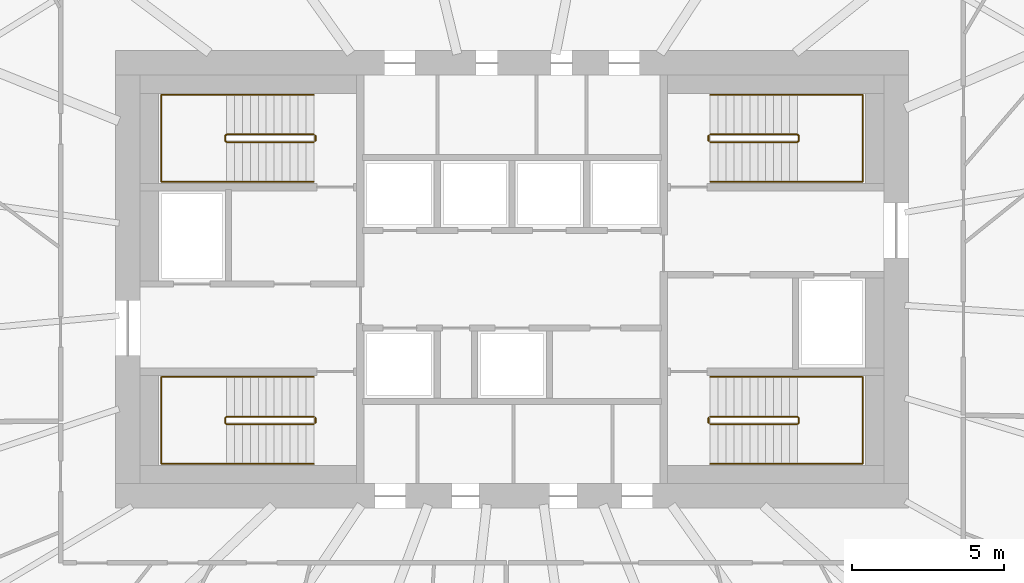
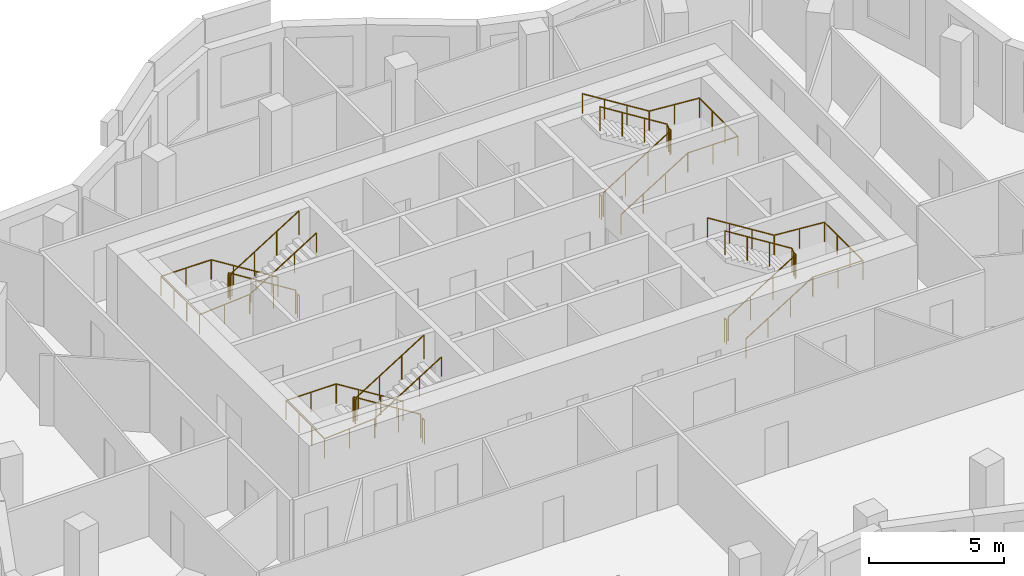
# One storey, part 10 of 10: 12 railings.
"""IFC4 building model written with IfcOpenShell, lengths in metres."""

import ifcopenshell
import ifcopenshell.guid

model = None  # the IFC model being written
_history = None  # IfcOwnerHistory: only IFC2X3 demands one
_inside = {}  # id of a spatial element -> (the spatial element, [elements in it])
_under = {}  # id of a project, library or spatial element -> (it, [spatial elements below it])
_declared = {}  # id of a project -> (the project, [libraries it declares])
_typed = {}  # id of a type object -> (the type object, [elements of that type])
_made_of = {}  # id of a material, layer set ... -> (it, [elements and type objects made of it])


def new_model(schema):
    """Start an empty IFC model of exactly this schema.

    Asked for "IFC4X3", IfcOpenShell would pick the latest addendum, in which some entities
    have other attributes; the version numbers below select the first issue.
    IFC2X3 requires an IfcOwnerHistory on every rooted entity: one is made here for all.
    """
    global model, _history
    if schema == "IFC4X3":
        model = ifcopenshell.file(schema_version=(4, 3, 0, 0))
    else:
        model = ifcopenshell.file(schema=schema)
    _inside.clear()
    _under.clear()
    _declared.clear()
    _typed.clear()
    _made_of.clear()
    _history = None
    if model.schema == "IFC2X3":
        org = make("IfcOrganization", Name="unknown")
        user = make(
            "IfcPersonAndOrganization",
            ThePerson=make("IfcPerson", FamilyName="unknown"),
            TheOrganization=org,
        )
        app = make(
            "IfcApplication",
            ApplicationDeveloper=org,
            Version="unknown",
            ApplicationFullName="unknown",
            ApplicationIdentifier="unknown",
        )
        _history = make(
            "IfcOwnerHistory",
            OwningUser=user,
            OwningApplication=app,
            ChangeAction="ADDED",
            CreationDate=0,
        )
    return model


def make(cls, **values):
    """One entity of the class cls with the attributes given. An attribute that is None is left unset."""
    return model.create_entity(
        cls, **{name: value for name, value in values.items() if value is not None}
    )


def rooted(cls, **values):
    """An entity with a GlobalId (a new one), such as an element, a storey or a relation."""
    return make(cls, GlobalId=ifcopenshell.guid.new(), OwnerHistory=_history, **values)


def si_unit(unit_type, name, prefix=None):
    """IfcSIUnit, for example si_unit("LENGTHUNIT", "METRE", prefix="MILLI")."""
    return make("IfcSIUnit", UnitType=unit_type, Prefix=prefix, Name=name)


def assignment(units):
    """IfcUnitAssignment: the units of a project."""
    return None if units is None else make("IfcUnitAssignment", Units=units)


def point(xyz):
    """IfcCartesianPoint."""
    return None if xyz is None else make("IfcCartesianPoint", Coordinates=xyz)


def direction(xyz):
    """IfcDirection."""
    return None if xyz is None else make("IfcDirection", DirectionRatios=xyz)


def frame(location, z_axis=None, x_axis=None):
    """IfcAxis2Placement3D, a coordinate frame: its origin and axes. An axis left out is left unset."""
    return make(
        "IfcAxis2Placement3D",
        Location=point(location),
        Axis=direction(z_axis),
        RefDirection=direction(x_axis),
    )


def frame_2d(location, x_axis=None):
    """IfcAxis2Placement2D, a coordinate frame in the plane: its origin and x axis."""
    return make(
        "IfcAxis2Placement2D", Location=point(location), RefDirection=direction(x_axis)
    )


def origin():
    """The frame at (0, 0, 0) with its axes left unset."""
    return frame((0.0, 0.0, 0.0))


def origin_2d():
    """The frame at (0, 0) in the plane with its x axis left unset."""
    return frame_2d((0.0, 0.0))


def place(relative_to, where):
    """IfcLocalPlacement: puts the frame where relative to a parent placement (None: the world)."""
    return make(
        "IfcLocalPlacement", PlacementRelTo=relative_to, RelativePlacement=where
    )


def context(
    kind, dimensions, precision=None, world=None, true_north=None, identifier=None
):
    """IfcGeometricRepresentationContext, for example the 3D "Model" context."""
    return make(
        "IfcGeometricRepresentationContext",
        ContextIdentifier=identifier,
        ContextType=kind,
        CoordinateSpaceDimension=dimensions,
        Precision=precision,
        WorldCoordinateSystem=world,
        TrueNorth=true_north,
    )


def subcontext(parent, identifier, kind, view, scale=None):
    """IfcGeometricRepresentationSubContext, for example "Body" below "Model"."""
    return make(
        "IfcGeometricRepresentationSubContext",
        ContextIdentifier=identifier,
        ContextType=kind,
        ParentContext=parent,
        TargetScale=scale,
        TargetView=view,
    )


def project(units=None, contexts=None):
    """IfcProject with its units and contexts."""
    return rooted(
        "IfcProject",
        Name="project",
        RepresentationContexts=contexts,
        UnitsInContext=assignment(units),
    )


def spatial(cls, under=None, at=None, **own):
    """A site, building, storey or space (cls), placed at a placement, below another one or the project."""
    s = rooted(cls, ObjectPlacement=at, **own)
    if under is not None:
        _under.setdefault(under.id(), (under, []))[1].append(s)
    return s


def profile(cls, at=None, kind="AREA", **sizes):
    """A parametric profile (cls). Its sizes go by their IFC names, for example OverallWidth=200.0."""
    return make(cls, ProfileType=kind, Position=at, **sizes)


def circle(**sizes):
    """IfcCircleProfileDef."""
    return profile("IfcCircleProfileDef", **sizes)


def extrude(swept, where, along, depth):
    """IfcExtrudedAreaSolid: the profile swept, set in the frame where, extruded along a direction by depth."""
    return make(
        "IfcExtrudedAreaSolid",
        SweptArea=swept,
        Position=where,
        ExtrudedDirection=direction(along),
        Depth=depth,
    )


def shape(context_of_items, identifier, shape_type, items):
    """IfcShapeRepresentation: the items that make up one representation, for example the "Body"."""
    return make(
        "IfcShapeRepresentation",
        ContextOfItems=context_of_items,
        RepresentationIdentifier=identifier,
        RepresentationType=shape_type,
        Items=items,
    )


def material(Name=None, Category=None):
    """IfcMaterial."""
    return make("IfcMaterial", Name=Name, Category=Category)


def made_of(thing, what):
    """Note that an element or type object is made of a material, layer set ...; save() writes the relation."""
    if what is not None:
        _made_of.setdefault(what.id(), (what, []))[1].append(thing)
    return thing


def type_object(cls, material=None, **own):
    """A type object (cls), such as IfcWallType, which elements share."""
    return made_of(rooted(cls, **own), material)


def element(
    cls,
    number,
    at=None,
    inside=None,
    cuts=None,
    type_object=None,
    material=None,
    context=None,
    identifier="Body",
    shape_type=None,
    held_by="IfcProductDefinitionShape",
    body=None,
    shapes=None,
    **own,
):
    """One element of the class cls, such as IfcWall. Its Tag is "e" and its number.

    at: its placement. inside: the storey or other place that contains it. cuts: it is an
    opening in that element (IfcRelVoidsElement). A single representation is given by context,
    identifier, shape_type and body (its items); several are given by shapes. held_by: the class
    of the entity that holds the representations. save() writes the other relations.
    """
    e = rooted(cls, Tag="e%d" % number, ObjectPlacement=at, **own)
    if body is not None:
        shapes = [shape(context, identifier, shape_type, body)]
    if shapes is not None:
        e.Representation = make(held_by, Representations=shapes)
    if inside is not None:
        _inside.setdefault(inside.id(), (inside, []))[1].append(e)
    if cuts is not None:
        rooted(
            "IfcRelVoidsElement", RelatingBuildingElement=cuts, RelatedOpeningElement=e
        )
    if type_object is not None:
        _typed.setdefault(type_object.id(), (type_object, []))[1].append(e)
    return made_of(e, material)


def aggregate(whole, parts):
    """IfcRelAggregates: a whole, such as a stair, and the parts it consists of."""
    return rooted("IfcRelAggregates", RelatingObject=whole, RelatedObjects=parts)


def save(model, path):
    """Write the relations noted so far, then the file.

    IfcRelAggregates (storeys below a building ...), IfcRelContainedInSpatialStructure (elements
    in a storey), IfcRelDefinesByType, IfcRelAssociatesMaterial and IfcRelDeclares: one each for
    every whole, place, type object, material and project.
    """
    for whole, parts in _under.values():
        aggregate(whole, parts)
    for where, things in _inside.values():
        rooted(
            "IfcRelContainedInSpatialStructure",
            RelatedElements=things,
            RelatingStructure=where,
        )
    for kind, things in _typed.values():
        rooted("IfcRelDefinesByType", RelatedObjects=things, RelatingType=kind)
    for what, things in _made_of.values():
        rooted("IfcRelAssociatesMaterial", RelatedObjects=things, RelatingMaterial=what)
    for by, libraries in _declared.values():
        rooted("IfcRelDeclares", RelatingContext=by, RelatedDefinitions=libraries)
    model.write(path)


model = new_model("IFC4")

# Units and contexts
model_context = context("Model", 3, precision=1e-05, world=origin(), true_north=direction((0.0, 1.0)))
body_context = subcontext(model_context, "Body", "Model", "MODEL_VIEW")
ifc_project = project(units=[si_unit("LENGTHUNIT", "METRE"), si_unit("AREAUNIT", "SQUARE_METRE"), si_unit("VOLUMEUNIT", "CUBIC_METRE"), si_unit("PLANEANGLEUNIT", "RADIAN"), si_unit("MASSUNIT", "GRAM", prefix="KILO")], contexts=[model_context])

# Site, building, storey
site_placement = place(None, origin())
site = spatial("IfcSite", under=ifc_project, at=site_placement, CompositionType="ELEMENT")
building_placement = place(site_placement, origin())
building = spatial("IfcBuilding", under=site, at=building_placement, Name="Rubra Terraces Tower", CompositionType="ELEMENT")
storey_placement = place(building_placement, frame((0.0, 0.0, 296.10009765625)))
storey = spatial("IfcBuildingStorey", under=building, at=storey_placement, Name="L73", CompositionType="ELEMENT", Elevation=296.10009765625)

# Railings
ifc_material = material(Name="Stainless steel", Category="steel")
railing_type_1 = type_object("IfcRailingType", Name="Core stair guard 1100", PredefinedType="GUARDRAIL", material=ifc_material)
railing_1_placement = place(storey_placement, frame((-6.5, 0.0, 0.162353515625)))
element("IfcRailing", 1, at=railing_1_placement, inside=storey, type_object=railing_type_1, Name="L73 stair S1 guard 1", PredefinedType="GUARDRAIL", context=body_context, shape_type="SweptSolid", body=[
    extrude(circle(Radius=0.02392578125, at=origin_2d()), frame((0.0, 0.0, 1.076171875), z_axis=(-0.847994237388, 0.0, 0.530005446535), x_axis=(0.0, -1.0, 0.0)), (0.0, 0.0, 1.0), 3.372802734375),
    extrude(circle(Radius=0.02392578125, at=origin_2d()), frame((-2.860107421875, 0.0, 2.86376953125), z_axis=(-0.705375805398, -0.708833529934, 0.0), x_axis=(0.708833529934, -0.705375805398, 0.0)), (0.0, 0.0, 1.0), 0.070556640625),
    extrude(circle(Radius=0.02392578125, at=origin_2d()), frame((-2.909912109375, -0.050048828125, 2.86376953125), z_axis=(0.0, -1.0, 0.0), x_axis=(1.0, 0.0, 0.0)), (0.0, 0.0, 1.0), 0.14990234375),
    extrude(circle(Radius=0.02392578125, at=origin_2d()), frame((-2.909912109375, -0.199951171875, 2.86376953125), z_axis=(0.281314826061, -0.282693820306, 0.917031173188), x_axis=(0.708833529934, 0.705375805398, 0.0)), (0.0, 0.0, 1.0), 0.177001953125),
    extrude(circle(Radius=0.02392578125, at=origin_2d()), frame((-2.860107421875, -0.25, 3.02587890625), z_axis=(0.847994237388, 0.0, 0.530005446535), x_axis=(0.0, 1.0, 0.0)), (0.0, 0.0, 1.0), 3.372802734375),
    extrude(circle(Radius=0.02099609375, at=origin_2d()), origin(), (0.0, 0.0, 1.0), 1.052001953125),
    extrude(circle(Radius=0.02099609375, at=origin_2d()), frame((-0.953369140625, 0.0, 0.595947265625)), (0.0, 0.0, 1.0), 1.052001953125),
    extrude(circle(Radius=0.02099609375, at=origin_2d()), frame((-1.90673828125, 0.0, 1.191650390625)), (0.0, 0.0, 1.0), 1.052001953125),
    extrude(circle(Radius=0.02099609375, at=origin_2d()), frame((-2.860107421875, 0.0, 1.78759765625)), (0.0, 0.0, 1.0), 1.052001953125),
    extrude(circle(Radius=0.02099609375, at=origin_2d()), frame((-2.909912109375, -0.050048828125, 1.78759765625)), (0.0, 0.0, 1.0), 1.052001953125),
    extrude(circle(Radius=0.02099609375, at=origin_2d()), frame((-2.909912109375, -0.199951171875, 1.78759765625)), (0.0, 0.0, 1.0), 1.052001953125),
    extrude(circle(Radius=0.02099609375, at=origin_2d()), frame((-2.860107421875, -0.25, 1.949951171875)), (0.0, 0.0, 1.0), 1.052001953125),
    extrude(circle(Radius=0.02099609375, at=origin_2d()), frame((-1.90673828125, -0.25, 2.5458984375)), (0.0, 0.0, 1.0), 1.052001953125),
    extrude(circle(Radius=0.02099609375, at=origin_2d()), frame((-0.953369140625, -0.25, 3.1416015625)), (0.0, 0.0, 1.0), 1.052001953125),
    extrude(circle(Radius=0.02099609375, at=origin_2d()), frame((0.0, -0.25, 3.737548828125)), (0.0, 0.0, 1.0), 1.052001953125),
])
railing_2_placement = place(storey_placement, frame((-6.449951171875, -0.050048828125, 0.0)))
element("IfcRailing", 2, at=railing_2_placement, inside=storey, type_object=railing_type_1, Name="L73 stair S1 guard 2", PredefinedType="GUARDRAIL", context=body_context, shape_type="SweptSolid", body=[
    extrude(circle(Radius=0.02392578125, at=origin_2d()), frame((0.0, 0.0, 1.076171875), z_axis=(0.0, -1.0, 0.0), x_axis=(1.0, 0.0, 0.0)), (0.0, 0.0, 1.0), 0.14990234375),
    extrude(circle(Radius=0.02099609375, at=origin_2d()), origin(), (0.0, 0.0, 1.0), 1.052001953125),
    extrude(circle(Radius=0.02099609375, at=origin_2d()), frame((0.0, -0.14990234375, 0.0)), (0.0, 0.0, 1.0), 1.052001953125),
])
railing_3_placement = place(storey_placement, frame((-6.5, 9.25, 0.162353515625)))
element("IfcRailing", 3, at=railing_3_placement, inside=storey, type_object=railing_type_1, Name="L73 stair S2 guard 1", PredefinedType="GUARDRAIL", context=body_context, shape_type="SweptSolid", body=[
    extrude(circle(Radius=0.02392578125, at=origin_2d()), frame((0.0, 0.0, 1.076171875), z_axis=(-0.847994237388, 0.0, 0.530005446535), x_axis=(0.0, -1.0, 0.0)), (0.0, 0.0, 1.0), 3.372802734375),
    extrude(circle(Radius=0.02392578125, at=origin_2d()), frame((-2.860107421875, 0.0, 2.86376953125), z_axis=(-0.705375805398, -0.708833529934, 0.0), x_axis=(0.708833529934, -0.705375805398, 0.0)), (0.0, 0.0, 1.0), 0.070556640625),
    extrude(circle(Radius=0.02392578125, at=origin_2d()), frame((-2.909912109375, -0.050048828125, 2.86376953125), z_axis=(0.0, -1.0, 0.0), x_axis=(1.0, 0.0, 0.0)), (0.0, 0.0, 1.0), 0.14990234375),
    extrude(circle(Radius=0.02392578125, at=origin_2d()), frame((-2.909912109375, -0.199951171875, 2.86376953125), z_axis=(0.281314826061, -0.282693820306, 0.917031173188), x_axis=(0.708833529934, 0.705375805398, 0.0)), (0.0, 0.0, 1.0), 0.177001953125),
    extrude(circle(Radius=0.02392578125, at=origin_2d()), frame((-2.860107421875, -0.25, 3.02587890625), z_axis=(0.847994237388, 0.0, 0.530005446535), x_axis=(0.0, 1.0, 0.0)), (0.0, 0.0, 1.0), 3.372802734375),
    extrude(circle(Radius=0.02099609375, at=origin_2d()), origin(), (0.0, 0.0, 1.0), 1.052001953125),
    extrude(circle(Radius=0.02099609375, at=origin_2d()), frame((-0.953369140625, 0.0, 0.595947265625)), (0.0, 0.0, 1.0), 1.052001953125),
    extrude(circle(Radius=0.02099609375, at=origin_2d()), frame((-1.90673828125, 0.0, 1.191650390625)), (0.0, 0.0, 1.0), 1.052001953125),
    extrude(circle(Radius=0.02099609375, at=origin_2d()), frame((-2.860107421875, 0.0, 1.78759765625)), (0.0, 0.0, 1.0), 1.052001953125),
    extrude(circle(Radius=0.02099609375, at=origin_2d()), frame((-2.909912109375, -0.050048828125, 1.78759765625)), (0.0, 0.0, 1.0), 1.052001953125),
    extrude(circle(Radius=0.02099609375, at=origin_2d()), frame((-2.909912109375, -0.199951171875, 1.78759765625)), (0.0, 0.0, 1.0), 1.052001953125),
    extrude(circle(Radius=0.02099609375, at=origin_2d()), frame((-2.860107421875, -0.25, 1.949951171875)), (0.0, 0.0, 1.0), 1.052001953125),
    extrude(circle(Radius=0.02099609375, at=origin_2d()), frame((-1.90673828125, -0.25, 2.5458984375)), (0.0, 0.0, 1.0), 1.052001953125),
    extrude(circle(Radius=0.02099609375, at=origin_2d()), frame((-0.953369140625, -0.25, 3.1416015625)), (0.0, 0.0, 1.0), 1.052001953125),
    extrude(circle(Radius=0.02099609375, at=origin_2d()), frame((0.0, -0.25, 3.737548828125)), (0.0, 0.0, 1.0), 1.052001953125),
])
railing_4_placement = place(storey_placement, frame((-6.449951171875, 9.199951171875, 0.0)))
element("IfcRailing", 4, at=railing_4_placement, inside=storey, type_object=railing_type_1, Name="L73 stair S2 guard 2", PredefinedType="GUARDRAIL", context=body_context, shape_type="SweptSolid", body=[
    extrude(circle(Radius=0.02392578125, at=origin_2d()), frame((0.0, 0.0, 1.076171875), z_axis=(0.0, -1.0, 0.0), x_axis=(1.0, 0.0, 0.0)), (0.0, 0.0, 1.0), 0.14990234375),
    extrude(circle(Radius=0.02099609375, at=origin_2d()), origin(), (0.0, 0.0, 1.0), 1.052001953125),
    extrude(circle(Radius=0.02099609375, at=origin_2d()), frame((0.0, -0.14990234375, 0.0)), (0.0, 0.0, 1.0), 1.052001953125),
])
railing_5_placement = place(storey_placement, frame((6.5, 9.0, 0.162353515625)))
element("IfcRailing", 5, at=railing_5_placement, inside=storey, type_object=railing_type_1, Name="L73 stair S3 guard 1", PredefinedType="GUARDRAIL", context=body_context, shape_type="SweptSolid", body=[
    extrude(circle(Radius=0.02392578125, at=origin_2d()), frame((0.0, 0.0, 1.076171875), z_axis=(0.847994237388, 0.0, 0.530005446535), x_axis=(0.0, 1.0, 0.0)), (0.0, 0.0, 1.0), 3.372802734375),
    extrude(circle(Radius=0.02392578125, at=origin_2d()), frame((2.860107421875, 0.0, 2.86376953125), z_axis=(0.705375805398, 0.708833529934, 0.0), x_axis=(-0.708833529934, 0.705375805398, 0.0)), (0.0, 0.0, 1.0), 0.070556640625),
    extrude(circle(Radius=0.02392578125, at=origin_2d()), frame((2.909912109375, 0.050048828125, 2.86376953125), z_axis=(0.0, 1.0, 0.0), x_axis=(-1.0, 0.0, 0.0)), (0.0, 0.0, 1.0), 0.14990234375),
    extrude(circle(Radius=0.02392578125, at=origin_2d()), frame((2.909912109375, 0.199951171875, 2.86376953125), z_axis=(-0.281314826061, 0.282693820306, 0.917031173188), x_axis=(-0.708833529934, -0.705375805398, 0.0)), (0.0, 0.0, 1.0), 0.177001953125),
    extrude(circle(Radius=0.02392578125, at=origin_2d()), frame((2.860107421875, 0.25, 3.02587890625), z_axis=(-0.847994237388, 0.0, 0.530005446535), x_axis=(0.0, -1.0, 0.0)), (0.0, 0.0, 1.0), 3.372802734375),
    extrude(circle(Radius=0.02099609375, at=origin_2d()), origin(), (0.0, 0.0, 1.0), 1.052001953125),
    extrude(circle(Radius=0.02099609375, at=origin_2d()), frame((0.953369140625, 0.0, 0.595947265625)), (0.0, 0.0, 1.0), 1.052001953125),
    extrude(circle(Radius=0.02099609375, at=origin_2d()), frame((1.90673828125, 0.0, 1.191650390625)), (0.0, 0.0, 1.0), 1.052001953125),
    extrude(circle(Radius=0.02099609375, at=origin_2d()), frame((2.860107421875, 0.0, 1.78759765625)), (0.0, 0.0, 1.0), 1.052001953125),
    extrude(circle(Radius=0.02099609375, at=origin_2d()), frame((2.909912109375, 0.050048828125, 1.78759765625)), (0.0, 0.0, 1.0), 1.052001953125),
    extrude(circle(Radius=0.02099609375, at=origin_2d()), frame((2.909912109375, 0.199951171875, 1.78759765625)), (0.0, 0.0, 1.0), 1.052001953125),
    extrude(circle(Radius=0.02099609375, at=origin_2d()), frame((2.860107421875, 0.25, 1.949951171875)), (0.0, 0.0, 1.0), 1.052001953125),
    extrude(circle(Radius=0.02099609375, at=origin_2d()), frame((1.90673828125, 0.25, 2.5458984375)), (0.0, 0.0, 1.0), 1.052001953125),
    extrude(circle(Radius=0.02099609375, at=origin_2d()), frame((0.953369140625, 0.25, 3.1416015625)), (0.0, 0.0, 1.0), 1.052001953125),
    extrude(circle(Radius=0.02099609375, at=origin_2d()), frame((0.0, 0.25, 3.737548828125)), (0.0, 0.0, 1.0), 1.052001953125),
])
railing_6_placement = place(storey_placement, frame((6.449951171875, 9.050048828125, 0.0)))
element("IfcRailing", 6, at=railing_6_placement, inside=storey, type_object=railing_type_1, Name="L73 stair S3 guard 2", PredefinedType="GUARDRAIL", context=body_context, shape_type="SweptSolid", body=[
    extrude(circle(Radius=0.02392578125, at=origin_2d()), frame((0.0, 0.0, 1.076171875), z_axis=(0.0, 1.0, 0.0), x_axis=(-1.0, 0.0, 0.0)), (0.0, 0.0, 1.0), 0.14990234375),
    extrude(circle(Radius=0.02099609375, at=origin_2d()), origin(), (0.0, 0.0, 1.0), 1.052001953125),
    extrude(circle(Radius=0.02099609375, at=origin_2d()), frame((0.0, 0.14990234375, 0.0)), (0.0, 0.0, 1.0), 1.052001953125),
])
railing_7_placement = place(storey_placement, frame((6.5, -0.25, 0.162353515625)))
element("IfcRailing", 7, at=railing_7_placement, inside=storey, type_object=railing_type_1, Name="L73 stair S4 guard 1", PredefinedType="GUARDRAIL", context=body_context, shape_type="SweptSolid", body=[
    extrude(circle(Radius=0.02392578125, at=origin_2d()), frame((0.0, 0.0, 1.076171875), z_axis=(0.847994237388, 0.0, 0.530005446535), x_axis=(0.0, 1.0, 0.0)), (0.0, 0.0, 1.0), 3.372802734375),
    extrude(circle(Radius=0.02392578125, at=origin_2d()), frame((2.860107421875, 0.0, 2.86376953125), z_axis=(0.705375805398, 0.708833529934, 0.0), x_axis=(-0.708833529934, 0.705375805398, 0.0)), (0.0, 0.0, 1.0), 0.070556640625),
    extrude(circle(Radius=0.02392578125, at=origin_2d()), frame((2.909912109375, 0.050048828125, 2.86376953125), z_axis=(0.0, 1.0, 0.0), x_axis=(-1.0, 0.0, 0.0)), (0.0, 0.0, 1.0), 0.14990234375),
    extrude(circle(Radius=0.02392578125, at=origin_2d()), frame((2.909912109375, 0.199951171875, 2.86376953125), z_axis=(-0.281314826061, 0.282693820306, 0.917031173188), x_axis=(-0.708833529934, -0.705375805398, 0.0)), (0.0, 0.0, 1.0), 0.177001953125),
    extrude(circle(Radius=0.02392578125, at=origin_2d()), frame((2.860107421875, 0.25, 3.02587890625), z_axis=(-0.847994237388, 0.0, 0.530005446535), x_axis=(0.0, -1.0, 0.0)), (0.0, 0.0, 1.0), 3.372802734375),
    extrude(circle(Radius=0.02099609375, at=origin_2d()), origin(), (0.0, 0.0, 1.0), 1.052001953125),
    extrude(circle(Radius=0.02099609375, at=origin_2d()), frame((0.953369140625, 0.0, 0.595947265625)), (0.0, 0.0, 1.0), 1.052001953125),
    extrude(circle(Radius=0.02099609375, at=origin_2d()), frame((1.90673828125, 0.0, 1.191650390625)), (0.0, 0.0, 1.0), 1.052001953125),
    extrude(circle(Radius=0.02099609375, at=origin_2d()), frame((2.860107421875, 0.0, 1.78759765625)), (0.0, 0.0, 1.0), 1.052001953125),
    extrude(circle(Radius=0.02099609375, at=origin_2d()), frame((2.909912109375, 0.050048828125, 1.78759765625)), (0.0, 0.0, 1.0), 1.052001953125),
    extrude(circle(Radius=0.02099609375, at=origin_2d()), frame((2.909912109375, 0.199951171875, 1.78759765625)), (0.0, 0.0, 1.0), 1.052001953125),
    extrude(circle(Radius=0.02099609375, at=origin_2d()), frame((2.860107421875, 0.25, 1.949951171875)), (0.0, 0.0, 1.0), 1.052001953125),
    extrude(circle(Radius=0.02099609375, at=origin_2d()), frame((1.90673828125, 0.25, 2.5458984375)), (0.0, 0.0, 1.0), 1.052001953125),
    extrude(circle(Radius=0.02099609375, at=origin_2d()), frame((0.953369140625, 0.25, 3.1416015625)), (0.0, 0.0, 1.0), 1.052001953125),
    extrude(circle(Radius=0.02099609375, at=origin_2d()), frame((0.0, 0.25, 3.737548828125)), (0.0, 0.0, 1.0), 1.052001953125),
])
railing_8_placement = place(storey_placement, frame((6.449951171875, -0.199951171875, 0.0)))
element("IfcRailing", 8, at=railing_8_placement, inside=storey, type_object=railing_type_1, Name="L73 stair S4 guard 2", PredefinedType="GUARDRAIL", context=body_context, shape_type="SweptSolid", body=[
    extrude(circle(Radius=0.02392578125, at=origin_2d()), frame((0.0, 0.0, 1.076171875), z_axis=(0.0, 1.0, 0.0), x_axis=(-1.0, 0.0, 0.0)), (0.0, 0.0, 1.0), 0.14990234375),
    extrude(circle(Radius=0.02099609375, at=origin_2d()), origin(), (0.0, 0.0, 1.0), 1.052001953125),
    extrude(circle(Radius=0.02099609375, at=origin_2d()), frame((0.0, 0.14990234375, 0.0)), (0.0, 0.0, 1.0), 1.052001953125),
])
railing_type_2 = type_object("IfcRailingType", Name="Core stair handrail 900", PredefinedType="HANDRAIL", material=ifc_material)
railing_9_placement = place(storey_placement, frame((-6.5, 1.300048828125, 0.162353515625)))
element("IfcRailing", 9, at=railing_9_placement, inside=storey, type_object=railing_type_2, Name="L73 stair S1 handrail 1", PredefinedType="HANDRAIL", context=body_context, shape_type="SweptSolid", body=[
    extrude(circle(Radius=0.02392578125, at=origin_2d()), frame((0.0, 0.0, 0.8759765625), z_axis=(-0.847994237388, 0.0, 0.530005446535), x_axis=(0.0, -1.0, 0.0)), (0.0, 0.0, 1.0), 3.372802734375),
    extrude(circle(Radius=0.02392578125, at=origin_2d()), frame((-2.860107421875, 0.0, 2.66357421875), z_axis=(-1.0, 0.0, 0.0), x_axis=(0.0, -1.0, 0.0)), (0.0, 0.0, 1.0), 2.139892578125),
    extrude(circle(Radius=0.02392578125, at=origin_2d()), frame((-5.0, 0.0, 2.66357421875), z_axis=(0.0, -1.0, 0.0), x_axis=(1.0, 0.0, 0.0)), (0.0, 0.0, 1.0), 2.85009765625),
    extrude(circle(Radius=0.02392578125, at=origin_2d()), frame((-5.0, -2.85009765625, 2.66357421875), z_axis=(0.9971342424, 0.0, 0.075652512401), x_axis=(0.0, 1.0, 0.0)), (0.0, 0.0, 1.0), 2.14599609375),
    extrude(circle(Radius=0.02392578125, at=origin_2d()), frame((-2.860107421875, -2.85009765625, 2.82568359375), z_axis=(0.847994237388, 0.0, 0.530005446535), x_axis=(0.0, 1.0, 0.0)), (0.0, 0.0, 1.0), 3.372802734375),
    extrude(circle(Radius=0.02099609375, at=origin_2d()), origin(), (0.0, 0.0, 1.0), 0.851806640625),
    extrude(circle(Radius=0.02099609375, at=origin_2d()), frame((-0.953369140625, 0.0, 0.595947265625)), (0.0, 0.0, 1.0), 0.851806640625),
    extrude(circle(Radius=0.02099609375, at=origin_2d()), frame((-1.90673828125, 0.0, 1.191650390625)), (0.0, 0.0, 1.0), 0.851806640625),
    extrude(circle(Radius=0.02099609375, at=origin_2d()), frame((-2.860107421875, 0.0, 1.78759765625)), (0.0, 0.0, 1.0), 0.851806640625),
    extrude(circle(Radius=0.02099609375, at=origin_2d()), frame((-3.93017578125, 0.0, 1.78759765625)), (0.0, 0.0, 1.0), 0.851806640625),
    extrude(circle(Radius=0.02099609375, at=origin_2d()), frame((-5.0, 0.0, 1.78759765625)), (0.0, 0.0, 1.0), 0.851806640625),
    extrude(circle(Radius=0.02099609375, at=origin_2d()), frame((-5.0, -0.949951171875, 1.78759765625)), (0.0, 0.0, 1.0), 0.851806640625),
    extrude(circle(Radius=0.02099609375, at=origin_2d()), frame((-5.0, -1.900146484375, 1.78759765625)), (0.0, 0.0, 1.0), 0.851806640625),
    extrude(circle(Radius=0.02099609375, at=origin_2d()), frame((-5.0, -2.85009765625, 1.78759765625)), (0.0, 0.0, 1.0), 0.851806640625),
    extrude(circle(Radius=0.02099609375, at=origin_2d()), frame((-3.93017578125, -2.85009765625, 1.86865234375)), (0.0, 0.0, 1.0), 0.851806640625),
    extrude(circle(Radius=0.02099609375, at=origin_2d()), frame((-2.860107421875, -2.85009765625, 1.949951171875)), (0.0, 0.0, 1.0), 0.851806640625),
    extrude(circle(Radius=0.02099609375, at=origin_2d()), frame((-1.90673828125, -2.85009765625, 2.5458984375)), (0.0, 0.0, 1.0), 0.851806640625),
    extrude(circle(Radius=0.02099609375, at=origin_2d()), frame((-0.953369140625, -2.85009765625, 3.1416015625)), (0.0, 0.0, 1.0), 0.851806640625),
    extrude(circle(Radius=0.02099609375, at=origin_2d()), frame((0.0, -2.85009765625, 3.737548828125)), (0.0, 0.0, 1.0), 0.851806640625),
])
railing_10_placement = place(storey_placement, frame((-6.5, 10.550048828125, 0.162353515625)))
element("IfcRailing", 10, at=railing_10_placement, inside=storey, type_object=railing_type_2, Name="L73 stair S2 handrail 1", PredefinedType="HANDRAIL", context=body_context, shape_type="SweptSolid", body=[
    extrude(circle(Radius=0.02392578125, at=origin_2d()), frame((0.0, 0.0, 0.8759765625), z_axis=(-0.847994237388, 0.0, 0.530005446535), x_axis=(0.0, -1.0, 0.0)), (0.0, 0.0, 1.0), 3.372802734375),
    extrude(circle(Radius=0.02392578125, at=origin_2d()), frame((-2.860107421875, 0.0, 2.66357421875), z_axis=(-1.0, 0.0, 0.0), x_axis=(0.0, -1.0, 0.0)), (0.0, 0.0, 1.0), 2.139892578125),
    extrude(circle(Radius=0.02392578125, at=origin_2d()), frame((-5.0, 0.0, 2.66357421875), z_axis=(0.0, -1.0, 0.0), x_axis=(1.0, 0.0, 0.0)), (0.0, 0.0, 1.0), 2.85009765625),
    extrude(circle(Radius=0.02392578125, at=origin_2d()), frame((-5.0, -2.85009765625, 2.66357421875), z_axis=(0.9971342424, 0.0, 0.075652512401), x_axis=(0.0, 1.0, 0.0)), (0.0, 0.0, 1.0), 2.14599609375),
    extrude(circle(Radius=0.02392578125, at=origin_2d()), frame((-2.860107421875, -2.85009765625, 2.82568359375), z_axis=(0.847994237388, 0.0, 0.530005446535), x_axis=(0.0, 1.0, 0.0)), (0.0, 0.0, 1.0), 3.372802734375),
    extrude(circle(Radius=0.02099609375, at=origin_2d()), origin(), (0.0, 0.0, 1.0), 0.851806640625),
    extrude(circle(Radius=0.02099609375, at=origin_2d()), frame((-0.953369140625, 0.0, 0.595947265625)), (0.0, 0.0, 1.0), 0.851806640625),
    extrude(circle(Radius=0.02099609375, at=origin_2d()), frame((-1.90673828125, 0.0, 1.191650390625)), (0.0, 0.0, 1.0), 0.851806640625),
    extrude(circle(Radius=0.02099609375, at=origin_2d()), frame((-2.860107421875, 0.0, 1.78759765625)), (0.0, 0.0, 1.0), 0.851806640625),
    extrude(circle(Radius=0.02099609375, at=origin_2d()), frame((-3.93017578125, 0.0, 1.78759765625)), (0.0, 0.0, 1.0), 0.851806640625),
    extrude(circle(Radius=0.02099609375, at=origin_2d()), frame((-5.0, 0.0, 1.78759765625)), (0.0, 0.0, 1.0), 0.851806640625),
    extrude(circle(Radius=0.02099609375, at=origin_2d()), frame((-5.0, -0.949951171875, 1.78759765625)), (0.0, 0.0, 1.0), 0.851806640625),
    extrude(circle(Radius=0.02099609375, at=origin_2d()), frame((-5.0, -1.900146484375, 1.78759765625)), (0.0, 0.0, 1.0), 0.851806640625),
    extrude(circle(Radius=0.02099609375, at=origin_2d()), frame((-5.0, -2.85009765625, 1.78759765625)), (0.0, 0.0, 1.0), 0.851806640625),
    extrude(circle(Radius=0.02099609375, at=origin_2d()), frame((-3.93017578125, -2.85009765625, 1.86865234375)), (0.0, 0.0, 1.0), 0.851806640625),
    extrude(circle(Radius=0.02099609375, at=origin_2d()), frame((-2.860107421875, -2.85009765625, 1.949951171875)), (0.0, 0.0, 1.0), 0.851806640625),
    extrude(circle(Radius=0.02099609375, at=origin_2d()), frame((-1.90673828125, -2.85009765625, 2.5458984375)), (0.0, 0.0, 1.0), 0.851806640625),
    extrude(circle(Radius=0.02099609375, at=origin_2d()), frame((-0.953369140625, -2.85009765625, 3.1416015625)), (0.0, 0.0, 1.0), 0.851806640625),
    extrude(circle(Radius=0.02099609375, at=origin_2d()), frame((0.0, -2.85009765625, 3.737548828125)), (0.0, 0.0, 1.0), 0.851806640625),
])
railing_11_placement = place(storey_placement, frame((6.5, 7.699951171875, 0.162353515625)))
element("IfcRailing", 11, at=railing_11_placement, inside=storey, type_object=railing_type_2, Name="L73 stair S3 handrail 1", PredefinedType="HANDRAIL", context=body_context, shape_type="SweptSolid", body=[
    extrude(circle(Radius=0.02392578125, at=origin_2d()), frame((0.0, 0.0, 0.8759765625), z_axis=(0.847994237388, 0.0, 0.530005446535), x_axis=(0.0, 1.0, 0.0)), (0.0, 0.0, 1.0), 3.372802734375),
    extrude(circle(Radius=0.02392578125, at=origin_2d()), frame((2.860107421875, 0.0, 2.66357421875), z_axis=(1.0, 0.0, 0.0), x_axis=(0.0, 1.0, 0.0)), (0.0, 0.0, 1.0), 2.139892578125),
    extrude(circle(Radius=0.02392578125, at=origin_2d()), frame((5.0, 0.0, 2.66357421875), z_axis=(0.0, 1.0, 0.0), x_axis=(-1.0, 0.0, 0.0)), (0.0, 0.0, 1.0), 2.85009765625),
    extrude(circle(Radius=0.02392578125, at=origin_2d()), frame((5.0, 2.85009765625, 2.66357421875), z_axis=(-0.9971342424, 0.0, 0.075652512401), x_axis=(0.0, -1.0, 0.0)), (0.0, 0.0, 1.0), 2.14599609375),
    extrude(circle(Radius=0.02392578125, at=origin_2d()), frame((2.860107421875, 2.85009765625, 2.82568359375), z_axis=(-0.847994237388, 0.0, 0.530005446535), x_axis=(0.0, -1.0, 0.0)), (0.0, 0.0, 1.0), 3.372802734375),
    extrude(circle(Radius=0.02099609375, at=origin_2d()), origin(), (0.0, 0.0, 1.0), 0.851806640625),
    extrude(circle(Radius=0.02099609375, at=origin_2d()), frame((0.953369140625, 0.0, 0.595947265625)), (0.0, 0.0, 1.0), 0.851806640625),
    extrude(circle(Radius=0.02099609375, at=origin_2d()), frame((1.90673828125, 0.0, 1.191650390625)), (0.0, 0.0, 1.0), 0.851806640625),
    extrude(circle(Radius=0.02099609375, at=origin_2d()), frame((2.860107421875, 0.0, 1.78759765625)), (0.0, 0.0, 1.0), 0.851806640625),
    extrude(circle(Radius=0.02099609375, at=origin_2d()), frame((3.93017578125, 0.0, 1.78759765625)), (0.0, 0.0, 1.0), 0.851806640625),
    extrude(circle(Radius=0.02099609375, at=origin_2d()), frame((5.0, 0.0, 1.78759765625)), (0.0, 0.0, 1.0), 0.851806640625),
    extrude(circle(Radius=0.02099609375, at=origin_2d()), frame((5.0, 0.949951171875, 1.78759765625)), (0.0, 0.0, 1.0), 0.851806640625),
    extrude(circle(Radius=0.02099609375, at=origin_2d()), frame((5.0, 1.900146484375, 1.78759765625)), (0.0, 0.0, 1.0), 0.851806640625),
    extrude(circle(Radius=0.02099609375, at=origin_2d()), frame((5.0, 2.85009765625, 1.78759765625)), (0.0, 0.0, 1.0), 0.851806640625),
    extrude(circle(Radius=0.02099609375, at=origin_2d()), frame((3.93017578125, 2.85009765625, 1.86865234375)), (0.0, 0.0, 1.0), 0.851806640625),
    extrude(circle(Radius=0.02099609375, at=origin_2d()), frame((2.860107421875, 2.85009765625, 1.949951171875)), (0.0, 0.0, 1.0), 0.851806640625),
    extrude(circle(Radius=0.02099609375, at=origin_2d()), frame((1.90673828125, 2.85009765625, 2.5458984375)), (0.0, 0.0, 1.0), 0.851806640625),
    extrude(circle(Radius=0.02099609375, at=origin_2d()), frame((0.953369140625, 2.85009765625, 3.1416015625)), (0.0, 0.0, 1.0), 0.851806640625),
    extrude(circle(Radius=0.02099609375, at=origin_2d()), frame((0.0, 2.85009765625, 3.737548828125)), (0.0, 0.0, 1.0), 0.851806640625),
])
railing_12_placement = place(storey_placement, frame((6.5, -1.550048828125, 0.162353515625)))
element("IfcRailing", 12, at=railing_12_placement, inside=storey, type_object=railing_type_2, Name="L73 stair S4 handrail 1", PredefinedType="HANDRAIL", context=body_context, shape_type="SweptSolid", body=[
    extrude(circle(Radius=0.02392578125, at=origin_2d()), frame((0.0, 0.0, 0.8759765625), z_axis=(0.847994237388, 0.0, 0.530005446535), x_axis=(0.0, 1.0, 0.0)), (0.0, 0.0, 1.0), 3.372802734375),
    extrude(circle(Radius=0.02392578125, at=origin_2d()), frame((2.860107421875, 0.0, 2.66357421875), z_axis=(1.0, 0.0, 0.0), x_axis=(0.0, 1.0, 0.0)), (0.0, 0.0, 1.0), 2.139892578125),
    extrude(circle(Radius=0.02392578125, at=origin_2d()), frame((5.0, 0.0, 2.66357421875), z_axis=(0.0, 1.0, 0.0), x_axis=(-1.0, 0.0, 0.0)), (0.0, 0.0, 1.0), 2.85009765625),
    extrude(circle(Radius=0.02392578125, at=origin_2d()), frame((5.0, 2.85009765625, 2.66357421875), z_axis=(-0.9971342424, 0.0, 0.075652512401), x_axis=(0.0, -1.0, 0.0)), (0.0, 0.0, 1.0), 2.14599609375),
    extrude(circle(Radius=0.02392578125, at=origin_2d()), frame((2.860107421875, 2.85009765625, 2.82568359375), z_axis=(-0.847994237388, 0.0, 0.530005446535), x_axis=(0.0, -1.0, 0.0)), (0.0, 0.0, 1.0), 3.372802734375),
    extrude(circle(Radius=0.02099609375, at=origin_2d()), origin(), (0.0, 0.0, 1.0), 0.851806640625),
    extrude(circle(Radius=0.02099609375, at=origin_2d()), frame((0.953369140625, 0.0, 0.595947265625)), (0.0, 0.0, 1.0), 0.851806640625),
    extrude(circle(Radius=0.02099609375, at=origin_2d()), frame((1.90673828125, 0.0, 1.191650390625)), (0.0, 0.0, 1.0), 0.851806640625),
    extrude(circle(Radius=0.02099609375, at=origin_2d()), frame((2.860107421875, 0.0, 1.78759765625)), (0.0, 0.0, 1.0), 0.851806640625),
    extrude(circle(Radius=0.02099609375, at=origin_2d()), frame((3.93017578125, 0.0, 1.78759765625)), (0.0, 0.0, 1.0), 0.851806640625),
    extrude(circle(Radius=0.02099609375, at=origin_2d()), frame((5.0, 0.0, 1.78759765625)), (0.0, 0.0, 1.0), 0.851806640625),
    extrude(circle(Radius=0.02099609375, at=origin_2d()), frame((5.0, 0.949951171875, 1.78759765625)), (0.0, 0.0, 1.0), 0.851806640625),
    extrude(circle(Radius=0.02099609375, at=origin_2d()), frame((5.0, 1.900146484375, 1.78759765625)), (0.0, 0.0, 1.0), 0.851806640625),
    extrude(circle(Radius=0.02099609375, at=origin_2d()), frame((5.0, 2.85009765625, 1.78759765625)), (0.0, 0.0, 1.0), 0.851806640625),
    extrude(circle(Radius=0.02099609375, at=origin_2d()), frame((3.93017578125, 2.85009765625, 1.86865234375)), (0.0, 0.0, 1.0), 0.851806640625),
    extrude(circle(Radius=0.02099609375, at=origin_2d()), frame((2.860107421875, 2.85009765625, 1.949951171875)), (0.0, 0.0, 1.0), 0.851806640625),
    extrude(circle(Radius=0.02099609375, at=origin_2d()), frame((1.90673828125, 2.85009765625, 2.5458984375)), (0.0, 0.0, 1.0), 0.851806640625),
    extrude(circle(Radius=0.02099609375, at=origin_2d()), frame((0.953369140625, 2.85009765625, 3.1416015625)), (0.0, 0.0, 1.0), 0.851806640625),
    extrude(circle(Radius=0.02099609375, at=origin_2d()), frame((0.0, 2.85009765625, 3.737548828125)), (0.0, 0.0, 1.0), 0.851806640625),
])

save(model, "model.ifc")
